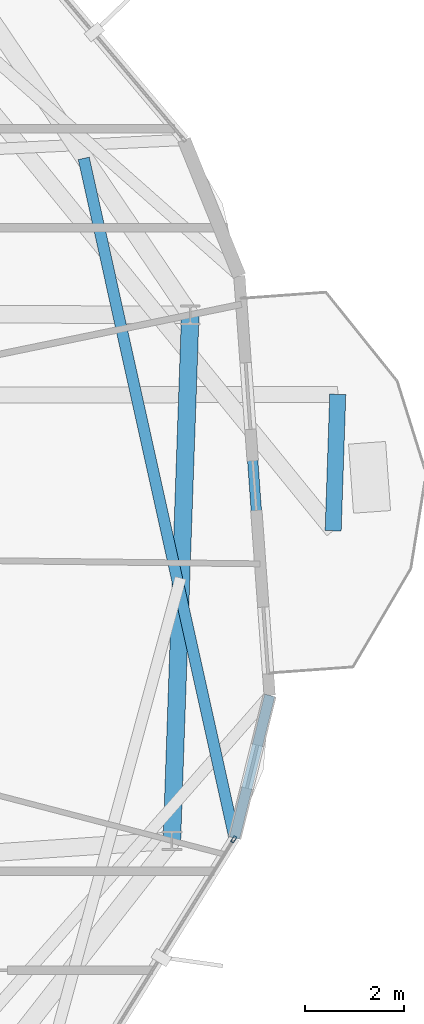
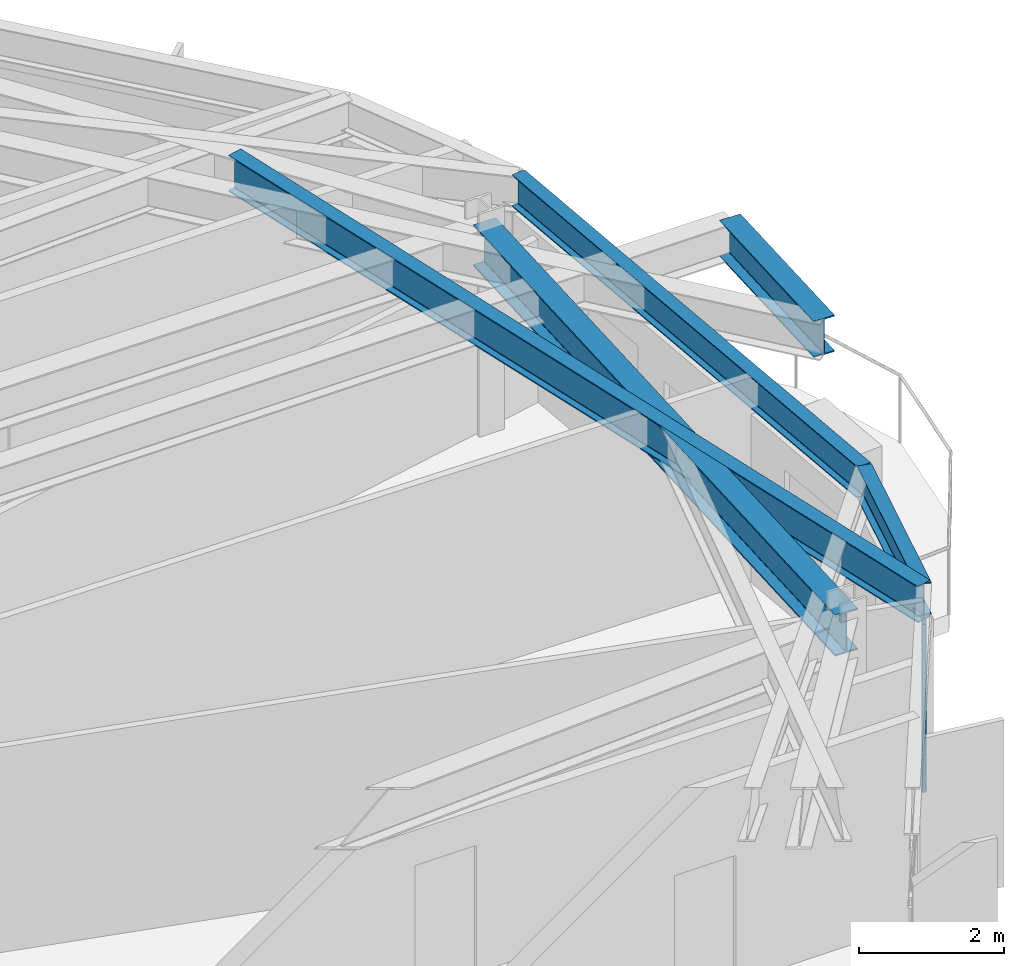
# One storey, part 14 of 26: 5 beams, 1 member, 1 element without a shape of its own.
"""IFC4 building model written with IfcOpenShell, lengths in metres."""

from ifc_helpers import new_model, si_unit, direction, frame, origin, origin_2d, place, context, subcontext, project, spatial, hollow_rectangle, i_section, extrude, material, layer, layer_set, material_profile, profile_set, type_object, element, aggregate, save


model = new_model("IFC4")

# Units and contexts
model_context = context("Model", 3, precision=1e-05, world=origin(), true_north=direction((0.0, 1.0)))
body_context = subcontext(model_context, "Body", "Model", "MODEL_VIEW")
ifc_project = project(units=[si_unit("LENGTHUNIT", "METRE"), si_unit("AREAUNIT", "SQUARE_METRE"), si_unit("VOLUMEUNIT", "CUBIC_METRE"), si_unit("PLANEANGLEUNIT", "RADIAN"), si_unit("MASSUNIT", "GRAM", prefix="KILO")], contexts=[model_context])

# Site, building, storey
site_placement = place(None, origin())
site = spatial("IfcSite", under=ifc_project, at=site_placement, CompositionType="ELEMENT")
building_placement = place(site_placement, origin())
building = spatial("IfcBuilding", under=site, at=building_placement, Name="Soratama Intermodal Tower", CompositionType="ELEMENT")
storey_placement = place(building_placement, frame((0.0, 0.0, 246.25)))
storey = spatial("IfcBuildingStorey", under=building, at=storey_placement, Name="L62", CompositionType="ELEMENT", Elevation=246.25)

# Beams
ifc_material_1 = material(Name="Structural steel ASTM A992 Grade 50", Category="steel")
ifc_material_profile_1 = material_profile(ifc_material_1, i_section(OverallWidth=0.324951171875, OverallDepth=0.615966796875, WebThickness=0.013916015625, FlangeThickness=0.021484375, FilletRadius=0.013916015625, at=origin_2d()), Name="W24X117")
ifc_profile_set_1 = profile_set([ifc_material_profile_1], Name="Structural steel ASTM A992 Grade 50")
beam_type_1 = type_object("IfcBeamType", Name="BM-CANT-W24X117", PredefinedType="BEAM", material=ifc_profile_set_1)
beam_1_placement = place(storey_placement, frame((64.422119140625, 25.3798828125, 3.14208984375), z_axis=(0.033642032042, 0.999433946632, 0.0), x_axis=(-0.999433946632, 0.033642032042, 0.0)))
element("IfcBeam", 1, at=beam_1_placement, inside=storey, type_object=beam_type_1, Name="BM-L62-CBHDR-1", PredefinedType="BEAM", context=body_context, shape_type="SweptSolid", body=[
    extrude(i_section(OverallWidth=0.324951171875, OverallDepth=0.615966796875, WebThickness=0.013916015625, FlangeThickness=0.021484375, FilletRadius=0.013916015625, at=origin_2d()), origin(), (0.0, 0.0, 1.0), 2.757568359375),
])
ifc_material_2 = material(Name="Structural steel ASTM A992 Grade 50", Category="steel")
ifc_material_profile_2 = material_profile(ifc_material_2, i_section(OverallWidth=0.35498046875, OverallDepth=0.695068359375, WebThickness=0.015380859375, FlangeThickness=0.02490234375, FilletRadius=0.01611328125, at=origin_2d()), Name="W27X146")
ifc_profile_set_2 = profile_set([ifc_material_profile_2], Name="Structural steel ASTM A992 Grade 50")
beam_type_2 = type_object("IfcBeamType", Name="BM-RING-W27X146", PredefinedType="BEAM", material=ifc_profile_set_2)
beam_2_placement = place(storey_placement, frame((61.1630859375, 19.116943359375, 3.1025390625), z_axis=(0.034885453879, 0.999391317307, 0.0), x_axis=(-0.999391317307, 0.034885453879, 0.0)))
element("IfcBeam", 2, at=beam_2_placement, inside=storey, type_object=beam_type_2, Name="BM-L62-RING-10", PredefinedType="BEAM", context=body_context, shape_type="SweptSolid", body=[
    extrude(i_section(OverallWidth=0.35498046875, OverallDepth=0.695068359375, WebThickness=0.015380859375, FlangeThickness=0.02490234375, FilletRadius=0.01611328125, at=origin_2d()), origin(), (0.0, 0.0, 1.0), 10.630615234375),
])
ifc_material_3 = material(Name="Structural steel ASTM A992 Grade 50", Category="steel")
ifc_material_profile_3 = material_profile(ifc_material_3, i_section(OverallWidth=0.2099609375, OverallDepth=0.537109375, WebThickness=0.010986328125, FlangeThickness=0.017333984375, FilletRadius=0.012939453125, at=origin_2d()), Name="W21X68")
ifc_profile_set_3 = profile_set([ifc_material_profile_3], Name="Structural steel ASTM A992 Grade 50")
beam_type_3 = type_object("IfcBeamType", Name="BM-SPN-W21X68", PredefinedType="SPANDREL", material=ifc_profile_set_3)
beam_3_placement = place(storey_placement, frame((62.428955078125, 19.172119140625, 3.181396484375), z_axis=(0.239668460267, 0.970854793032, 0.0), x_axis=(-0.970854793032, 0.239668460267, 0.0)))
element("IfcBeam", 3, at=beam_3_placement, inside=storey, type_object=beam_type_3, Name="BS-L62-CRN08", PredefinedType="SPANDREL", context=body_context, shape_type="SweptSolid", body=[
    extrude(i_section(OverallWidth=0.2099609375, OverallDepth=0.537109375, WebThickness=0.010986328125, FlangeThickness=0.017333984375, FilletRadius=0.012939453125, at=origin_2d()), origin(), (0.0, 0.0, 1.0), 2.96630859375),
])
beam_4_placement = place(storey_placement, frame((63.139892578125, 22.052001953125, 3.181396484375), z_axis=(-0.072234922799, 0.997387645767, 0.0), x_axis=(-0.997387645767, -0.072234922799, 0.0)))
element("IfcBeam", 4, at=beam_4_placement, inside=storey, type_object=beam_type_3, Name="BS-L62-F09", PredefinedType="SPANDREL", context=body_context, shape_type="SweptSolid", body=[
    extrude(i_section(OverallWidth=0.2099609375, OverallDepth=0.537109375, WebThickness=0.010986328125, FlangeThickness=0.017333984375, FilletRadius=0.012939453125, at=origin_2d()), origin(), (0.0, 0.0, 1.0), 8.500244140625),
])
ifc_material_4 = material(Name="Structural steel ASTM A992 Grade 50", Category="steel")
ifc_material_profile_4 = material_profile(ifc_material_4, i_section(OverallWidth=0.22900390625, OverallDepth=0.612060546875, WebThickness=0.011962890625, FlangeThickness=0.01953125, FilletRadius=0.012939453125, at=origin_2d()), Name="W24X84")
ifc_profile_set_4 = profile_set([ifc_material_profile_4], Name="Structural steel ASTM A992 Grade 50")
beam_type_4 = type_object("IfcBeamType", Name="BM-TIE-W24X84", PredefinedType="BEAM", material=ifc_profile_set_4)
beam_5_placement = place(storey_placement, frame((59.382080078125, 32.904052734375, 3.14404296875), z_axis=(0.216614346325, -0.976257253477, 0.0), x_axis=(0.976257253477, 0.216614346325, 0.0)))
element("IfcBeam", 5, at=beam_5_placement, inside=storey, type_object=beam_type_4, Name="BM-L62-TIE1-08", PredefinedType="BEAM", context=body_context, shape_type="SweptSolid", body=[
    extrude(i_section(OverallWidth=0.22900390625, OverallDepth=0.612060546875, WebThickness=0.011962890625, FlangeThickness=0.01953125, FilletRadius=0.012939453125, at=origin_2d()), origin(), (0.0, 0.0, 1.0), 14.06591796875),
])

# Curtain wall, member
ifc_material_5 = material(Name="Double-glazed aluminium curtain wall", Category="aluminium")
ifc_layer = layer(ifc_material_5, 0.159912109375)
ifc_layer_set = layer_set([ifc_layer], Name="Double-glazed aluminium curtain wall")
curtain_wall_type = type_object("IfcCurtainWallType", Name="CW-SYS-5", PredefinedType="NOTDEFINED", material=ifc_layer_set)
curtain_wall_placement = place(storey_placement, origin())
curtain_wall = element("IfcCurtainWall", 6, at=curtain_wall_placement, inside=storey, type_object=curtain_wall_type, Name="L62 Faceted Curtain Wall F08", PredefinedType="NOTDEFINED")
ifc_material_6 = material(Name="Anodised aluminium AA 6063-T6", Category="aluminium")
ifc_material_profile_5 = material_profile(ifc_material_6, hollow_rectangle(XDim=0.06494140625, YDim=0.139892578125, WallThickness=0.0048828125, InnerFilletRadius=0.0048828125, OuterFilletRadius=0.010009765625, at=origin_2d()), Name="CWM140X65X5")
ifc_profile_set_5 = profile_set([ifc_material_profile_5], Name="Anodised aluminium AA 6063-T6")
member_type = type_object("IfcMemberType", Name="MT-CWM-5", PredefinedType="MULLION", material=ifc_profile_set_5)
member_placement = place(storey_placement, frame((62.41357421875, 19.146240234375, 0.0), z_axis=(0.0, 0.0, 1.0), x_axis=(-0.849338641556, 0.527848341818, 0.0)))
member = element("IfcMember", 7, at=member_placement, type_object=member_type, Name="CW-5 mullion 2", PredefinedType="MULLION", context=body_context, shape_type="SweptSolid", body=[
    extrude(hollow_rectangle(XDim=0.06494140625, YDim=0.139892578125, WallThickness=0.0048828125, InnerFilletRadius=0.0048828125, OuterFilletRadius=0.010009765625, at=origin_2d()), origin(), (0.0, 0.0, 1.0), 2.8291015625),
])
aggregate(curtain_wall, [member])

save(model, "model.ifc")
